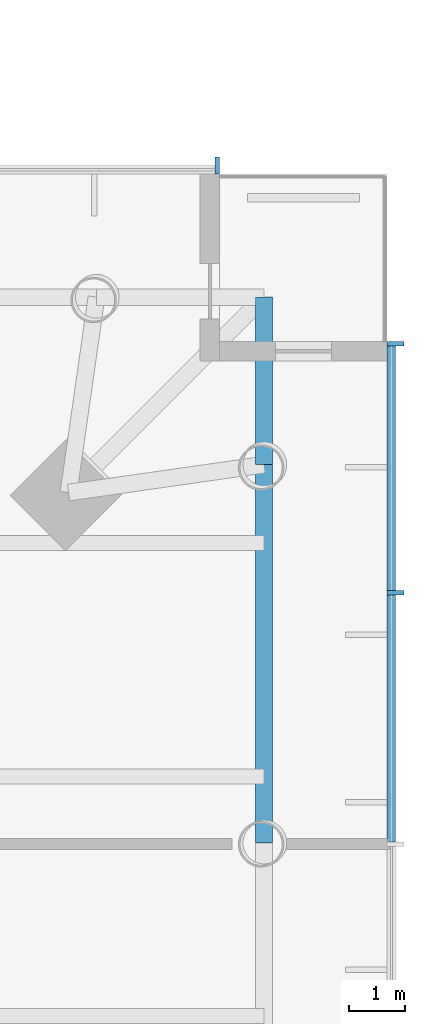
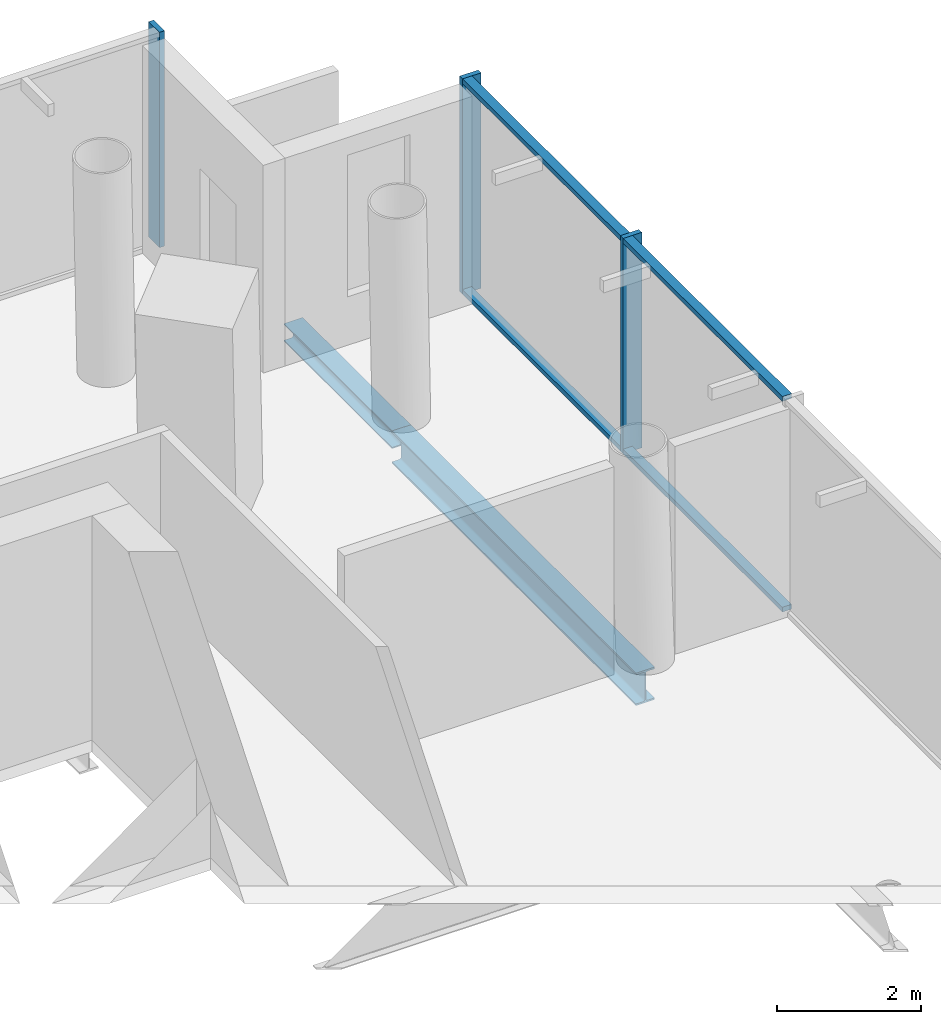
# One storey, part 8 of 24: 7 members, 2 beams, 2 elements without a shape of their own.
"""IFC4 building model written with IfcOpenShell, lengths in metres."""

from ifc_helpers import new_model, si_unit, direction, frame, origin, origin_2d, place, context, subcontext, project, spatial, rectangle, i_section, extrude, material, material_profile, profile_set, type_object, element, aggregate, save


model = new_model("IFC4")

# Units and contexts
model_context = context("Model", 3, precision=1e-05, world=origin(), true_north=direction((0.0, 1.0)))
body_context = subcontext(model_context, "Body", "Model", "MODEL_VIEW")
ifc_project = project(units=[si_unit("LENGTHUNIT", "METRE"), si_unit("AREAUNIT", "SQUARE_METRE"), si_unit("VOLUMEUNIT", "CUBIC_METRE"), si_unit("PLANEANGLEUNIT", "RADIAN"), si_unit("MASSUNIT", "GRAM", prefix="KILO")], contexts=[model_context])

# Site, building, storey
site_placement = place(None, origin())
site = spatial("IfcSite", under=ifc_project, at=site_placement, CompositionType="ELEMENT")
building_placement = place(site_placement, origin())
building = spatial("IfcBuilding", under=site, at=building_placement, Name="Ostroluk Exchange", CompositionType="ELEMENT")
storey_placement = place(building_placement, frame((0.0, 0.0, 78.0)))
storey = spatial("IfcBuildingStorey", under=building, at=storey_placement, Name="L19", CompositionType="ELEMENT", Elevation=78.0)

# Beams
ifc_material_1 = material(Name="Steel S355", Category="steel")
ifc_material_profile_1 = material_profile(ifc_material_1, i_section(OverallWidth=0.300048828125, OverallDepth=0.300048828125, WebThickness=0.010986328125, FlangeThickness=0.01904296875, FilletRadius=0.027099609375, at=origin_2d()), Name="HEB 300")
ifc_profile_set_1 = profile_set([ifc_material_profile_1], Name="Steel S355")
beam_type_1 = type_object("IfcBeamType", Name="Balcony beam HEB 300", PredefinedType="BEAM", material=ifc_profile_set_1)
beam_1_placement = place(storey_placement, frame((133.543212890625, 59.543212890625, -0.35009765625), z_axis=(0.0, 1.0, 0.0), x_axis=(-1.0, 0.0, 0.0)))
element("IfcBeam", 1, at=beam_1_placement, inside=storey, type_object=beam_type_1, Name="T2 east balcony beam a", PredefinedType="BEAM", context=body_context, shape_type="SweptSolid", body=[
    extrude(i_section(OverallWidth=0.300048828125, OverallDepth=0.300048828125, WebThickness=0.010986328125, FlangeThickness=0.01904296875, FilletRadius=0.027099609375, at=origin_2d()), origin(), (0.0, 0.0, 1.0), 3.0),
])
ifc_material_2 = material(Name="Steel S355", Category="steel")
ifc_material_profile_2 = material_profile(ifc_material_2, i_section(OverallWidth=0.300048828125, OverallDepth=0.550048828125, WebThickness=0.014892578125, FlangeThickness=0.029052734375, FilletRadius=0.027099609375, at=origin_2d()), Name="HEB 550")
ifc_profile_set_2 = profile_set([ifc_material_profile_2], Name="Steel S355")
beam_type_2 = type_object("IfcBeamType", Name="Moment-connected edge beam HEB 550", PredefinedType="SPANDREL", material=ifc_profile_set_2)
beam_2_placement = place(storey_placement, frame((133.543212890625, 52.771484375, -0.47509765625), z_axis=(0.0, 1.0, 0.0), x_axis=(-1.0, 0.0, 0.0)))
element("IfcBeam", 2, at=beam_2_placement, inside=storey, type_object=beam_type_2, Name="T2 east edge beam 4", PredefinedType="SPANDREL", context=body_context, shape_type="SweptSolid", body=[
    extrude(i_section(OverallWidth=0.300048828125, OverallDepth=0.550048828125, WebThickness=0.014892578125, FlangeThickness=0.029052734375, FilletRadius=0.027099609375, at=origin_2d()), origin(), (0.0, 0.0, 1.0), 6.771728515625),
])

# Curtain wall, members
ifc_material_3 = material(Name="Laminated clear glass", Category="glass")
curtain_wall_type = type_object("IfcCurtainWallType", Name="Hotel guest floor facade", PredefinedType="USERDEFINED", material=ifc_material_3)
curtain_wall_1_placement = place(storey_placement, origin())
curtain_wall_1 = element("IfcCurtainWall", 3, at=curtain_wall_1_placement, inside=storey, type_object=curtain_wall_type, Name="Hotel tower east facade L19", ObjectType="UNITISED CURTAIN WALL", PredefinedType="USERDEFINED")
ifc_material_4 = material(Name="Aluminium mullion", Category="aluminium")
ifc_material_profile_3 = material_profile(ifc_material_4, rectangle(XDim=0.14990234375, YDim=0.080078125, at=origin_2d()), Name="Sill transom 80 x 150")
ifc_profile_set_3 = profile_set([ifc_material_profile_3], Name="Aluminium mullion")
member_type_1 = type_object("IfcMemberType", Name="Sill transom 80 x 150", PredefinedType="USERDEFINED", material=ifc_profile_set_3)
member_1_placement = place(storey_placement, frame((135.824951171875, 52.7900390625, 0.0400390625), z_axis=(0.0, 1.0, 0.0), x_axis=(-1.0, 0.0, 0.0)))
member_1 = element("IfcMember", 4, at=member_1_placement, type_object=member_type_1, Name="CW-H1 transom 6.1", ObjectType="TRANSOM", PredefinedType="USERDEFINED", context=body_context, shape_type="SweptSolid", body=[
    extrude(rectangle(XDim=0.14990234375, YDim=0.080078125, at=origin_2d()), origin(), (0.0, 0.0, 1.0), 4.419921875),
])
member_2_placement = place(storey_placement, frame((135.824951171875, 52.7900390625, 3.610107421875), z_axis=(0.0, 1.0, 0.0), x_axis=(-1.0, 0.0, 0.0)))
member_2 = element("IfcMember", 5, at=member_2_placement, type_object=member_type_1, Name="CW-H1 transom 6.2", ObjectType="TRANSOM", PredefinedType="USERDEFINED", context=body_context, shape_type="SweptSolid", body=[
    extrude(rectangle(XDim=0.14990234375, YDim=0.080078125, at=origin_2d()), origin(), (0.0, 0.0, 1.0), 4.419921875),
])
member_3_placement = place(storey_placement, frame((135.824951171875, 57.2900390625, 0.0400390625), z_axis=(0.0, 1.0, 0.0), x_axis=(-1.0, 0.0, 0.0)))
member_3 = element("IfcMember", 6, at=member_3_placement, type_object=member_type_1, Name="CW-H1 transom 7.1", ObjectType="TRANSOM", PredefinedType="USERDEFINED", context=body_context, shape_type="SweptSolid", body=[
    extrude(rectangle(XDim=0.14990234375, YDim=0.080078125, at=origin_2d()), origin(), (0.0, 0.0, 1.0), 4.3798828125),
])
member_4_placement = place(storey_placement, frame((135.824951171875, 57.2900390625, 3.610107421875), z_axis=(0.0, 1.0, 0.0), x_axis=(-1.0, 0.0, 0.0)))
member_4 = element("IfcMember", 7, at=member_4_placement, type_object=member_type_1, Name="CW-H1 transom 7.2", ObjectType="TRANSOM", PredefinedType="USERDEFINED", context=body_context, shape_type="SweptSolid", body=[
    extrude(rectangle(XDim=0.14990234375, YDim=0.080078125, at=origin_2d()), origin(), (0.0, 0.0, 1.0), 4.3798828125),
])
ifc_material_5 = material(Name="Aluminium mullion with limestone facing", Category="masonry")
ifc_material_profile_4 = material_profile(ifc_material_5, rectangle(XDim=0.300048828125, YDim=0.080078125, at=origin_2d()), Name="Tracery mullion 80 x 300")
ifc_profile_set_4 = profile_set([ifc_material_profile_4], Name="Aluminium mullion with limestone facing")
member_type_2 = type_object("IfcMemberType", Name="Tracery mullion 80 x 300", PredefinedType="MULLION", material=ifc_profile_set_4)
member_5_placement = place(storey_placement, frame((135.89990234375, 57.25, 0.0), z_axis=(0.0, 0.0, 1.0), x_axis=(-1.0, 0.0, 0.0)))
member_5 = element("IfcMember", 8, at=member_5_placement, type_object=member_type_2, Name="CW-H1 mullion 7", PredefinedType="MULLION", context=body_context, shape_type="SweptSolid", body=[
    extrude(rectangle(XDim=0.300048828125, YDim=0.080078125, at=origin_2d()), origin(), (0.0, 0.0, 1.0), 3.64990234375),
])
member_6_placement = place(storey_placement, frame((135.89990234375, 61.7099609375, 0.0), z_axis=(0.0, 0.0, 1.0), x_axis=(-1.0, 0.0, 0.0)))
member_6 = element("IfcMember", 9, at=member_6_placement, type_object=member_type_2, Name="CW-H1 mullion 8", PredefinedType="MULLION", context=body_context, shape_type="SweptSolid", body=[
    extrude(rectangle(XDim=0.300048828125, YDim=0.080078125, at=origin_2d()), origin(), (0.0, 0.0, 1.0), 3.64990234375),
])
aggregate(curtain_wall_1, [member_5, member_6, member_1, member_2, member_3, member_4])

# Curtain wall, member
curtain_wall_2_placement = place(storey_placement, origin())
curtain_wall_2 = element("IfcCurtainWall", 10, at=curtain_wall_2_placement, inside=storey, type_object=curtain_wall_type, Name="Hotel tower north facade L19", ObjectType="UNITISED CURTAIN WALL", PredefinedType="USERDEFINED")
member_7_placement = place(storey_placement, frame((132.7099609375, 64.89990234375, 0.0), z_axis=(0.0, 0.0, 1.0), x_axis=(0.0, -1.0, 0.0)))
member_7 = element("IfcMember", 11, at=member_7_placement, type_object=member_type_2, Name="CW-H1 mullion 1", PredefinedType="MULLION", context=body_context, shape_type="SweptSolid", body=[
    extrude(rectangle(XDim=0.300048828125, YDim=0.080078125, at=origin_2d()), origin(), (0.0, 0.0, 1.0), 3.64990234375),
])
aggregate(curtain_wall_2, [member_7])

save(model, "model.ifc")
